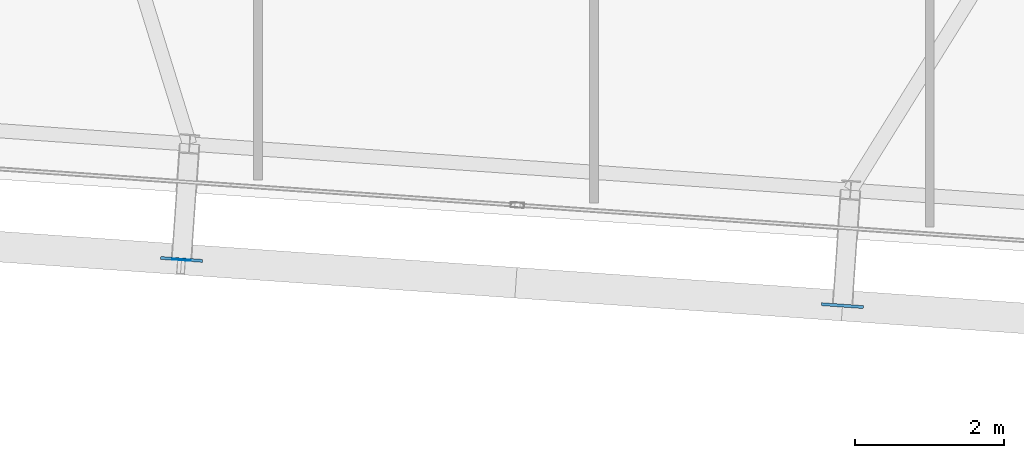
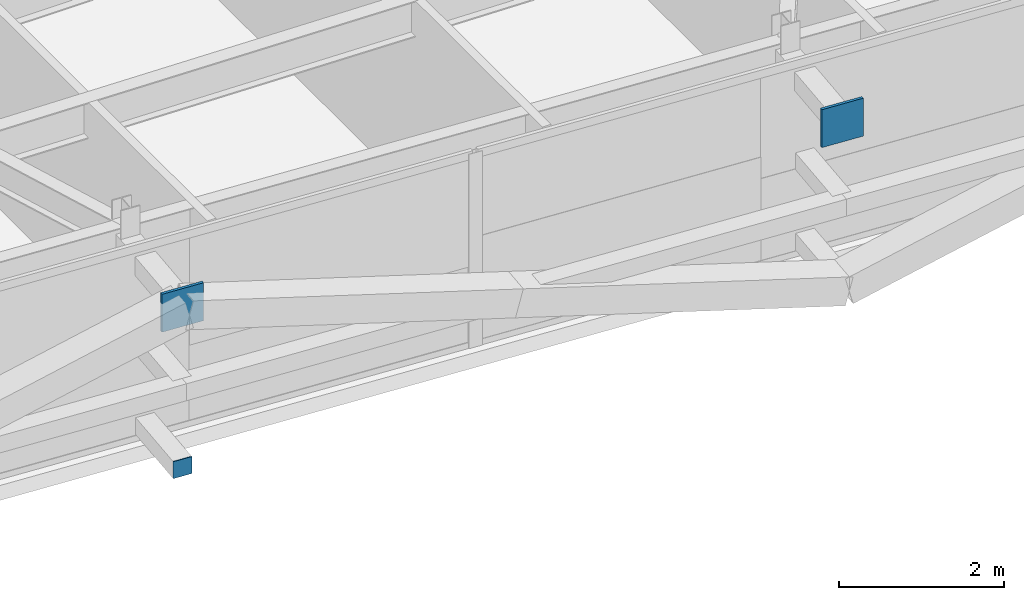
# One storey, part 28 of 39: 3 plates.
"""IFC4 building model written with IfcOpenShell, lengths in metres."""

from ifc_helpers import new_model, si_unit, direction, frame, origin, origin_2d, place, context, subcontext, project, spatial, rectangle, extrude, source, transform, mapped, material, layer, layer_set, type_object, element, save


model = new_model("IFC4")

# Units and contexts
model_context = context("Model", 3, precision=1e-05, world=origin(), true_north=direction((0.0, 1.0)))
body_context = subcontext(model_context, "Body", "Model", "MODEL_VIEW")
ifc_project = project(units=[si_unit("LENGTHUNIT", "METRE"), si_unit("AREAUNIT", "SQUARE_METRE"), si_unit("VOLUMEUNIT", "CUBIC_METRE"), si_unit("PLANEANGLEUNIT", "RADIAN"), si_unit("MASSUNIT", "GRAM", prefix="KILO")], contexts=[model_context])

# Site, building, storey
site_placement = place(None, origin())
site = spatial("IfcSite", under=ifc_project, at=site_placement, CompositionType="ELEMENT")
building_placement = place(site_placement, origin())
building = spatial("IfcBuilding", under=site, at=building_placement, Name="Taldren Reach Tower", CompositionType="ELEMENT")
storey_placement = place(building_placement, frame((0.0, 0.0, 161.35009765625)))
storey = spatial("IfcBuildingStorey", under=building, at=storey_placement, Name="L49", CompositionType="ELEMENT", Elevation=161.35009765625)

# Plates
ifc_material_1 = material(Name="Steel Gr 450 (C450L0)", Category="steel")
ifc_layer_1 = layer(ifc_material_1, 0.0400390625)
ifc_layer_set_1 = layer_set([ifc_layer_1], Name="Steel Gr 450 (C450L0)")
plate_type_1 = type_object("IfcPlateType", Name="PL-GUSSET-40", PredefinedType="SHEET", material=ifc_layer_set_1)
shared_shape_1 = source(origin(), body_context, "Body", "SweptSolid", [
    extrude(rectangle(XDim=0.56005859375, YDim=0.0400390625, at=origin_2d()), origin(), (0.0, 0.0, 1.0), 0.56005859375),
])
for number, where, z_axis, x_axis, name in (
    (1, (29.47216796875, 2.55322265625, 2.309814453125), (0.0, 0.0, 1.0), (0.99756405026, -0.069756473744, 0.0), "Exoskeleton star-node gusset plate B3-S3 L49"),
    (2, (38.33056640625, 1.933837890625, 2.309814453125), (0.0, 0.0, 1.0), (0.99756405026, -0.069756473744, 0.0), "Exoskeleton star-node gusset plate B3-S4 L49"),
):
    element("IfcPlate", number, at=place(storey_placement, frame(where, z_axis=z_axis, x_axis=x_axis)), inside=storey, type_object=plate_type_1, Name=name, PredefinedType="SHEET", context=body_context, shape_type="MappedRepresentation", body=[
        mapped(shared_shape_1, transform((0.0, 0.0, 0.0), scale=1.0)),
    ])
ifc_material_2 = material(Name="Steel Gr 350 (C350L0)", Category="steel")
ifc_layer_2 = layer(ifc_material_2, 0.011962890625)
ifc_layer_set_2 = layer_set([ifc_layer_2], Name="Steel Gr 350 (C350L0)")
plate_type_2 = type_object("IfcPlateType", Name="PL-CAP-250", PredefinedType="SHEET", material=ifc_layer_set_2)
shared_shape_2 = source(origin(), body_context, "Body", "SweptSolid", [
    extrude(rectangle(XDim=0.25, YDim=0.011962890625, at=origin_2d()), origin(), (0.0, 0.0, 1.0), 0.25),
])
plate_placement = place(storey_placement, frame((29.4716796875, 2.54736328125, 0.094970703125), z_axis=(0.0, 0.0, 1.0), x_axis=(0.99756405026, -0.069756473744, 0.0)))
element("IfcPlate", 3, at=plate_placement, inside=storey, type_object=plate_type_2, Name="Tie strut end cap plate B3-S3 L49", PredefinedType="SHEET", context=body_context, shape_type="MappedRepresentation", body=[
    mapped(shared_shape_2, transform((0.0, 0.0, 0.0), scale=1.0)),
])

save(model, "model.ifc")
